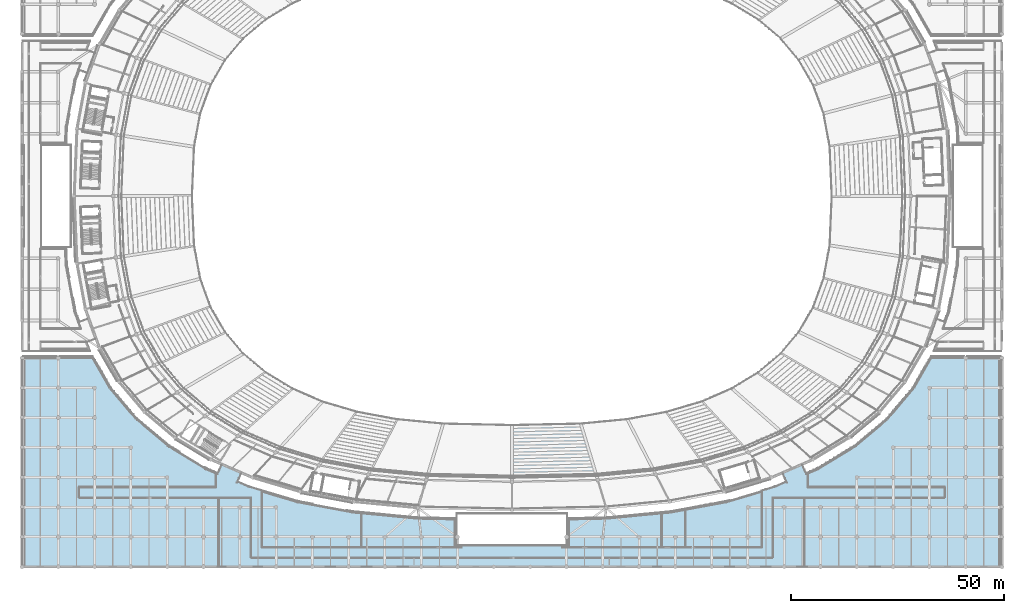
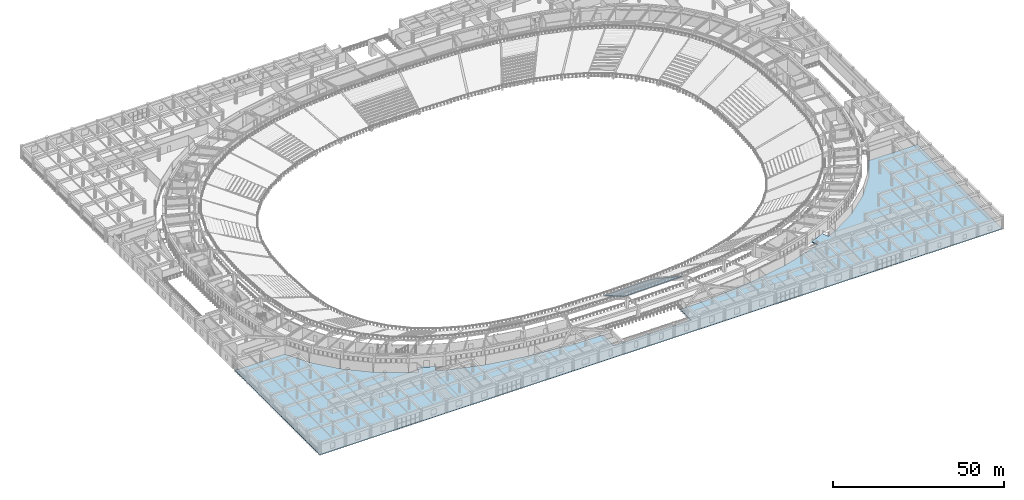
# One storey, part 77 of 137: 2 slabs.
"""IFC4 building model written with IfcOpenShell, lengths in metres."""

from ifc_helpers import new_model, si_unit, direction, frame, origin, place, context, subcontext, project, spatial, polyline, outline, extrude, material, layer, layer_set, type_object, element, save


model = new_model("IFC4")

# Units and contexts
model_context = context("Model", 3, precision=1e-05, world=origin(), true_north=direction((0.0, 1.0)))
body_context = subcontext(model_context, "Body", "Model", "MODEL_VIEW")
ifc_project = project(units=[si_unit("LENGTHUNIT", "METRE"), si_unit("AREAUNIT", "SQUARE_METRE"), si_unit("VOLUMEUNIT", "CUBIC_METRE"), si_unit("PLANEANGLEUNIT", "RADIAN"), si_unit("MASSUNIT", "GRAM", prefix="KILO")], contexts=[model_context])

# Site, building, storey
site_placement = place(None, origin())
site = spatial("IfcSite", under=ifc_project, at=site_placement, CompositionType="ELEMENT")
building_placement = place(site_placement, origin())
building = spatial("IfcBuilding", under=site, at=building_placement, Name="Mphavela Belvedere Stadium", CompositionType="ELEMENT")
storey_placement = place(building_placement, frame((0.0, 0.0, 19.199951171875)))
storey = spatial("IfcBuildingStorey", under=building, at=storey_placement, Name="L04", CompositionType="ELEMENT", Elevation=19.199951171875)

# Slabs
ifc_material_1 = material(Name="Concrete C40/50", Category="concrete")
ifc_layer_1 = layer(ifc_material_1, 0.260009765625)
ifc_layer_set_1 = layer_set([ifc_layer_1], Name="Concrete C40/50")
slab_type_1 = type_object("IfcSlabType", Name="SLB-PAVILION-260", PredefinedType="FLOOR", material=ifc_layer_set_1)
slab_1_placement = place(storey_placement, frame((0.0, 0.0, -0.260009765625)))
element("IfcSlab", 1, at=slab_1_placement, inside=storey, type_object=slab_type_1, Name="South Axial Triumphal Peristyle Portico floor slab L04-1", PredefinedType="FLOOR", context=body_context, shape_type="SweptSolid", body=[
    extrude(outline(polyline([(16.653564453125, 49.5), (20.852783203125, 42.2373046875), (20.957763671875, 42.0732421875), (21.07666015625, 41.919189453125), (26.980712890625, 34.927001953125), (27.106201171875, 34.79052734375), (27.242919921875, 34.6650390625), (34.425537109375, 28.60400390625), (34.5595703125, 28.499755859375), (34.700927734375, 28.406005859375), (43.160400390625, 23.259521484375), (43.4287109375, 23.12060546875), (45.922607421875, 22.03955078125), (46.797607421875, 24.05810546875), (51.568603515625, 21.98974609375), (50.693603515625, 19.97119140625), (53.1875, 18.89013671875), (53.436279296875, 18.7998046875), (64.57275390625, 15.494140625), (64.7958984375, 15.440185546875), (77.5244140625, 13.06982421875), (77.718505859375, 13.04248046875), (92.676513671875, 11.6162109375), (92.837890625, 11.606689453125), (102.0, 11.409423828125), (102.0, 5.0), (128.0, 5.0), (128.0, 11.409423828125), (137.162109375, 11.606689453125), (137.323486328125, 11.6162109375), (152.281494140625, 13.04248046875), (152.4755859375, 13.06982421875), (165.2041015625, 15.440185546875), (165.42724609375, 15.494140625), (176.563720703125, 18.7998046875), (176.8125, 18.89013671875), (179.306396484375, 19.97119140625), (178.431396484375, 21.98974609375), (183.202392578125, 24.05810546875), (184.077392578125, 22.03955078125), (186.5712890625, 23.12060546875), (186.839599609375, 23.259521484375), (195.299072265625, 28.406005859375), (195.4404296875, 28.499755859375), (195.574462890625, 28.60400390625), (202.757080078125, 34.6650390625), (202.893798828125, 34.79052734375), (203.019287109375, 34.927001953125), (208.92333984375, 41.919189453125), (209.042236328125, 42.0732421875), (209.147216796875, 42.2373046875), (213.346435546875, 49.5), (230.0, 49.5), (230.0, 0.0), (0.0, 0.0), (0.0, 49.5), (16.653564453125, 49.5)])), origin(), (0.0, 0.0, 1.0), 0.260009765625),
])
ifc_material_2 = material(Name="Precast concrete C45/55", Category="concrete")
ifc_layer_2 = layer(ifc_material_2, 0.25)
ifc_layer_set_2 = layer_set([ifc_layer_2], Name="Precast concrete C45/55")
slab_type_2 = type_object("IfcSlabType", Name="SLB-TIER-UPPER", PredefinedType="USERDEFINED", material=ifc_layer_set_2)
slab_2_placement = place(storey_placement, frame((115.0, 33.20703125, -3.75), z_axis=(-0.01092721603, 0.507481607942, 0.861593299388), x_axis=(0.999768306672, 0.021525170699, 1.22567e-06)))
element("IfcSlab", 2, at=slab_2_placement, inside=storey, type_object=slab_type_2, Name="Upper seating tier slab L04-37", ObjectType="SEATING TIER", PredefinedType="USERDEFINED", context=body_context, shape_type="SweptSolid", body=[
    extrude(outline(polyline([(0.0, 0.0), (16.151691206773513, 5.551115123125783e-17), (19.464095084662233, -13.790359833111161), (-0.25580777393128107, -13.790446450163948), (0.0, 0.0)])), origin(), (0.0, 0.0, -1.0), 0.25),
])

save(model, "model.ifc")
